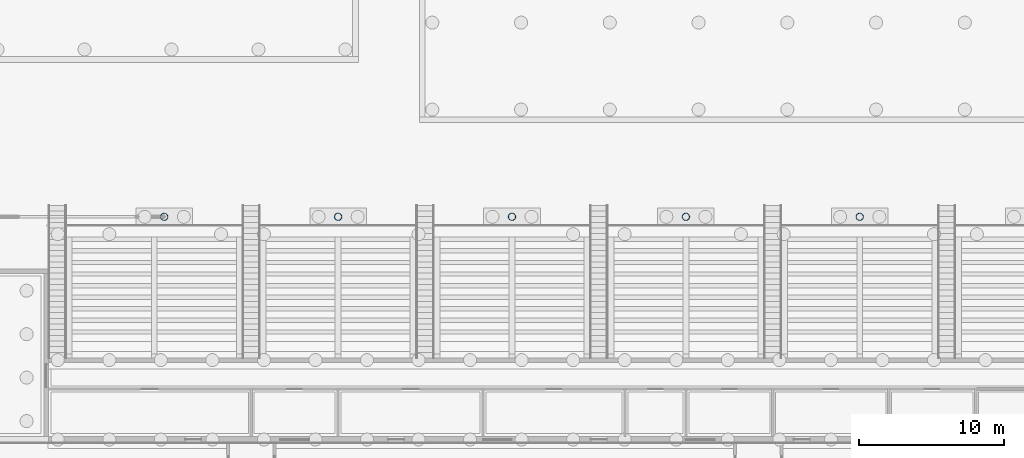
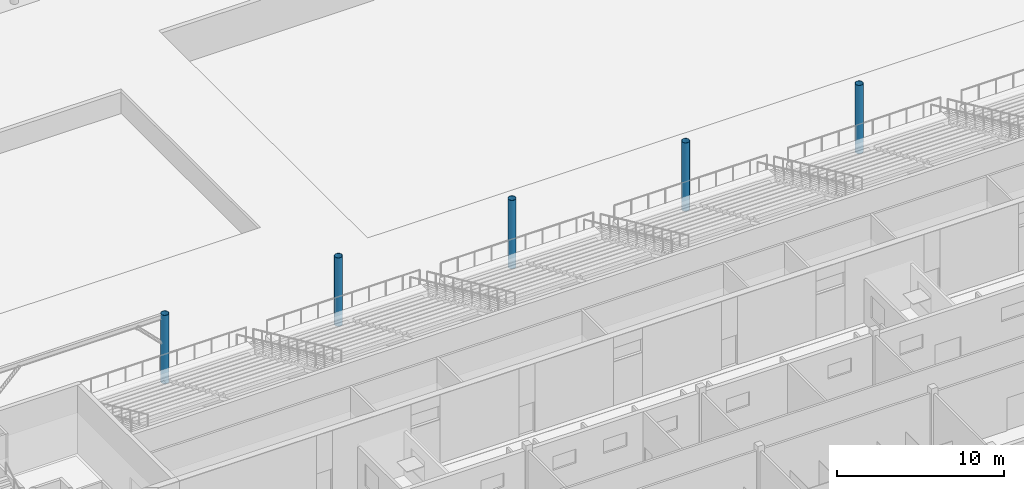
# One storey, part 11 of 157: 5 columns.
"""IFC4 building model written with IfcOpenShell, lengths in metres."""

from ifc_helpers import new_model, si_unit, direction, frame, origin, origin_2d, place, context, subcontext, project, spatial, hollow_circle, extrude, material, material_profile, profile_set, type_object, element, save


model = new_model("IFC4")

# Units and contexts
model_context = context("Model", 3, precision=1e-05, world=origin(), true_north=direction((0.0, 1.0)))
body_context = subcontext(model_context, "Body", "Model", "MODEL_VIEW")
ifc_project = project(units=[si_unit("LENGTHUNIT", "METRE"), si_unit("AREAUNIT", "SQUARE_METRE"), si_unit("VOLUMEUNIT", "CUBIC_METRE"), si_unit("PLANEANGLEUNIT", "RADIAN"), si_unit("MASSUNIT", "GRAM", prefix="KILO")], contexts=[model_context])

# Site, building, storey
site_placement = place(None, origin())
site = spatial("IfcSite", under=ifc_project, at=site_placement, CompositionType="ELEMENT")
building_placement = place(site_placement, origin())
building = spatial("IfcBuilding", under=site, at=building_placement, Name="Windward Yard Aquatics Centre", CompositionType="ELEMENT")
storey_placement = place(building_placement, origin())
storey = spatial("IfcBuildingStorey", under=building, at=storey_placement, Name="L00", CompositionType="ELEMENT", Elevation=0.0)

# Columns
ifc_material = material(Name="Steel ASTM A500 Gr C", Category="steel")
ifc_material_profile = material_profile(ifc_material, hollow_circle(Radius=0.25390625, WallThickness=0.015869140625, at=origin_2d()), Name="HSS508X15.9")
ifc_profile_set = profile_set([ifc_material_profile], Name="Steel ASTM A500 Gr C")
column_type = type_object("IfcColumnType", Name="H arch column HSS508X15.9", PredefinedType="COLUMN", material=ifc_profile_set)
for number, where, z_axis, x_axis, name in (
    (1, (72.0, 41.60009765625, 0.0), (0.0, 0.0, 1.0), (1.0, 0.0, 0.0), "H.AC.S2.L00"),
    (2, (84.0, 41.60009765625, 0.0), (0.0, 0.0, 1.0), (1.0, 0.0, 0.0), "H.AC.S3.L00"),
    (3, (96.0, 41.60009765625, 0.0), (0.0, 0.0, 1.0), (1.0, 0.0, 0.0), "H.AC.S4.L00"),
    (4, (108.0, 41.60009765625, 0.0), (0.0, 0.0, 1.0), (1.0, 0.0, 0.0), "H.AC.S5.L00"),
    (5, (120.0, 41.60009765625, 0.0), (0.0, 0.0, 1.0), (1.0, 0.0, 0.0), "H.AC.S6.L00"),
):
    element("IfcColumn", number, at=place(storey_placement, frame(where, z_axis=z_axis, x_axis=x_axis)), inside=storey, type_object=column_type, Name=name, PredefinedType="COLUMN", context=body_context, shape_type="SweptSolid", body=[
        extrude(hollow_circle(Radius=0.25390625, WallThickness=0.015869140625, at=origin_2d()), origin(), (0.0, 0.0, 1.0), 5.0),
    ])

save(model, "model.ifc")
